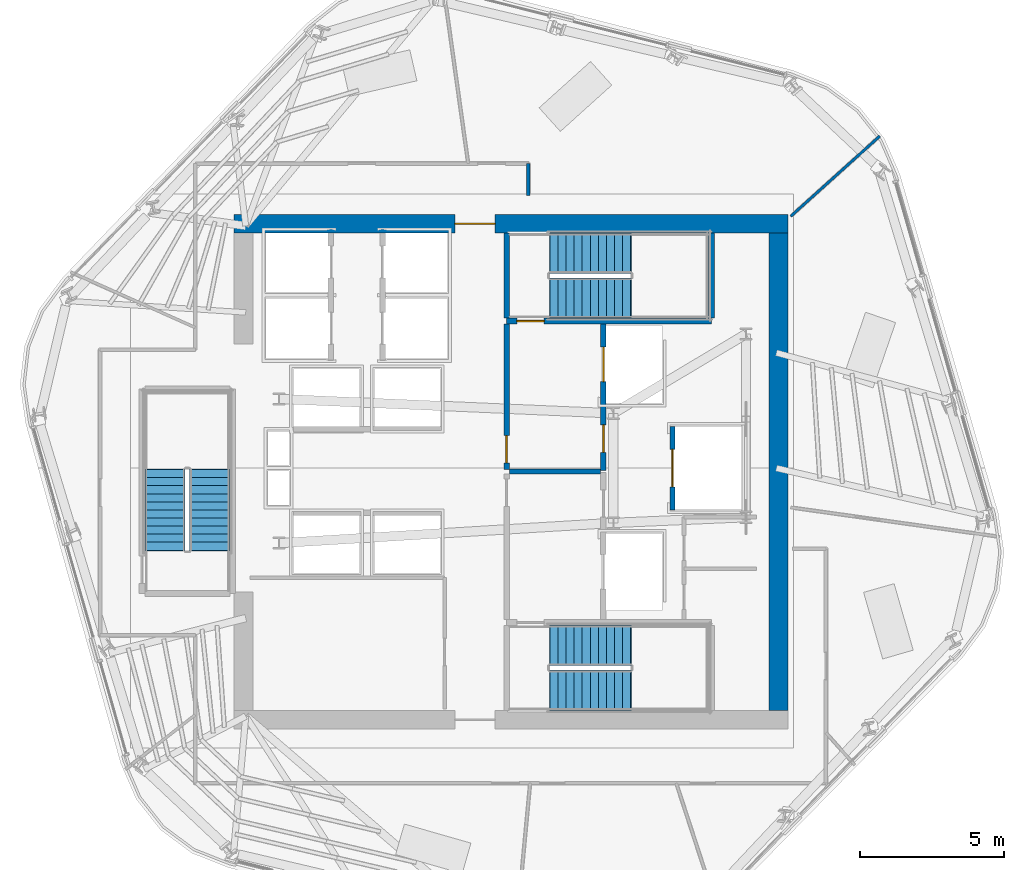
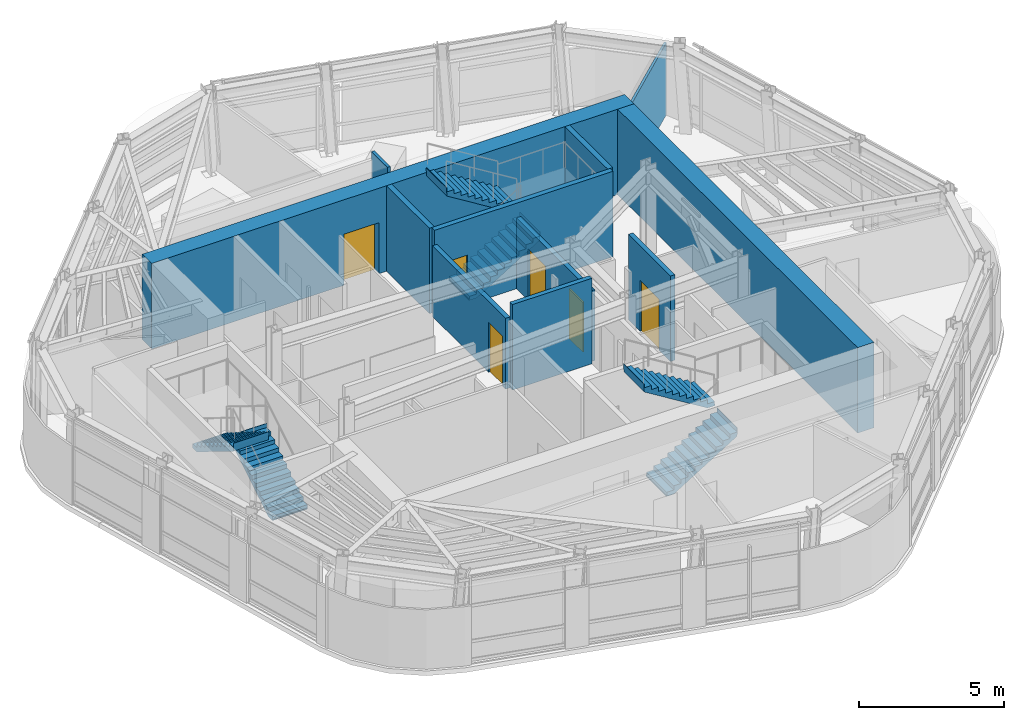
# One storey, part 8 of 13: 11 walls, 6 doors, 6 stair flights, 6 openings, 3 elements without a shape of their own.
"""IFC4 building model written with IfcOpenShell, lengths in metres."""

from ifc_helpers import new_model, si_unit, direction, frame, frame_2d, origin, place, context, subcontext, project, spatial, polyline, rectangle, outline, extrude, material, layer, layer_set, type_object, element, fill, aggregate, save


model = new_model("IFC4")

# Units and contexts
model_context = context("Model", 3, precision=1e-05, world=origin(), true_north=direction((0.0, 1.0)))
body_context = subcontext(model_context, "Body", "Model", "MODEL_VIEW")
ifc_project = project(units=[si_unit("LENGTHUNIT", "METRE"), si_unit("AREAUNIT", "SQUARE_METRE"), si_unit("VOLUMEUNIT", "CUBIC_METRE"), si_unit("PLANEANGLEUNIT", "RADIAN"), si_unit("MASSUNIT", "GRAM", prefix="KILO")], contexts=[model_context])

# Site, building, storey
site_placement = place(None, origin())
site = spatial("IfcSite", under=ifc_project, at=site_placement, CompositionType="ELEMENT")
building_placement = place(site_placement, origin())
building = spatial("IfcBuilding", under=site, at=building_placement, Name="Valkerne Bourse Tower", CompositionType="ELEMENT")
storey_placement = place(building_placement, frame((0.0, 0.0, 220.800048828125)))
storey = spatial("IfcBuildingStorey", under=building, at=storey_placement, Name="L56", CompositionType="ELEMENT", Elevation=220.800048828125)

# Wall, opening, door
ifc_material_1 = material(Name="Concrete C55/67", Category="concrete")
ifc_layer_1 = layer(ifc_material_1, 0.64990234375)
ifc_layer_set_1 = layer_set([ifc_layer_1], Name="Concrete C55/67")
wall_type_1 = type_object("IfcWallType", Name="W-CORE-650", PredefinedType="SHEAR", material=ifc_layer_set_1)
wall_1_placement = place(storey_placement, frame((37.199951171875, 35.47509765625, 0.0), z_axis=(0.0, 0.0, 1.0), x_axis=(1.0, 0.0, 0.0)))
wall_1 = element("IfcWall", 1, at=wall_1_placement, inside=storey, type_object=wall_type_1, Name="L56 Core Shear Wall NORTH", PredefinedType="SHEAR", context=body_context, shape_type="SweptSolid", body=[
    extrude(rectangle(XDim=19.199951171875, YDim=0.64990234375, at=frame_2d((9.60009765625, 0.0))), origin(), (0.0, 0.0, 1.0), 3.599853515625),
])
opening_1_placement = place(wall_1_placement, frame((7.64990234375, 0.0, 0.0)))
opening_1 = element("IfcOpeningElement", 2, at=opening_1_placement, cuts=wall_1, Name="Opening D-PL-1400", PredefinedType="OPENING", context=body_context, shape_type="SweptSolid", body=[
    extrude(rectangle(XDim=1.39990234375, YDim=2.14990234375, at=frame_2d((0.699951171875, 1.074951171875))), frame((0.0, 0.3349609375, 0.0), z_axis=(0.0, -1.0, 0.0), x_axis=(1.0, 0.0, 0.0)), (0.0, 0.0, 1.0), 0.669921875),
])
ifc_material_2 = material(Name="Galvanised Painted Steel", Category="steel")
door_type_1 = type_object("IfcDoorType", Name="DR-PLT-1400", OperationType="DOUBLE_DOOR_SINGLE_SWING", PredefinedType="DOOR", material=ifc_material_2)
door_1_placement = place(opening_1_placement, origin())
door_1 = element("IfcDoor", 3, at=door_1_placement, inside=storey, type_object=door_type_1, Name="L56 North Passenger Lift Hall Fire Door", OperationType="DOUBLE_DOOR_SINGLE_SWING", OverallHeight=2.14990234375, OverallWidth=1.39990234375, PredefinedType="DOOR", context=body_context, shape_type="SweptSolid", body=[
    extrude(rectangle(XDim=1.39990234375, YDim=2.14990234375, at=frame_2d((0.699951171875, 1.074951171875))), frame((0.0, 0.02490234375, 0.0), z_axis=(0.0, -1.0, 0.0), x_axis=(1.0, 0.0, 0.0)), (0.0, 0.0, 1.0), 0.050048828125),
])
fill(opening_1, door_1)

# Walls
wall_2_placement = place(storey_placement, frame((56.074951171875, 18.60009765625, 0.0), z_axis=(0.0, 0.0, 1.0), x_axis=(0.0, 1.0, 0.0)))
element("IfcWall", 4, at=wall_2_placement, inside=storey, type_object=wall_type_1, Name="L56 Core Shear Wall EAST", PredefinedType="SHEAR", context=body_context, shape_type="SweptSolid", body=[
    extrude(rectangle(XDim=16.5498046875, YDim=0.64990234375, at=frame_2d((8.27490234375, 0.0))), origin(), (0.0, 0.0, 1.0), 3.599853515625),
])
ifc_material_3 = material(Name="Gypsum Board Steel-Stud Partition", Category="steel")
ifc_layer_2 = layer(ifc_material_3, 0.117919921875)
ifc_layer_set_2 = layer_set([ifc_layer_2], Name="Gypsum Board Steel-Stud Partition")
wall_type_2 = type_object("IfcWallType", Name="W-CORR-140", PredefinedType="PARTITIONING", material=ifc_layer_set_2)
wall_3_placement = place(storey_placement, frame((47.39990234375, 37.56005859375, 0.0), z_axis=(0.0, 0.0, 1.0), x_axis=(0.0, -1.0, 0.0)))
element("IfcWall", 5, at=wall_3_placement, inside=storey, type_object=wall_type_2, Name="L56 Corridor Enclosure Wall", PredefinedType="PARTITIONING", context=body_context, shape_type="SweptSolid", body=[
    extrude(rectangle(XDim=1.10009765625, YDim=0.117919921875, at=frame_2d((0.550048828125, 0.0))), origin(), (0.0, 0.0, 1.0), 3.300048828125),
])
ifc_material_4 = material(Name="Gypsum Fire-Rated Shaftwall", Category="gypsum")
ifc_layer_3 = layer(ifc_material_4, 0.179931640625)
ifc_layer_set_3 = layer_set([ifc_layer_3], Name="Gypsum Fire-Rated Shaftwall")
wall_type_3 = type_object("IfcWallType", Name="W-FSAE-180", PredefinedType="PARTITIONING", material=ifc_layer_set_3)
wall_4_placement = place(storey_placement, frame((46.739990234375, 26.8798828125, 0.0), z_axis=(0.0, 0.0, 1.0), x_axis=(1.0, 0.0, 0.0)))
element("IfcWall", 6, at=wall_4_placement, inside=storey, type_object=wall_type_3, Name="L56 FSAE-1/2 Lobby Dividing Fire Wall", PredefinedType="PARTITIONING", context=body_context, shape_type="SweptSolid", body=[
    extrude(rectangle(XDim=3.169921875, YDim=0.179931640625, at=frame_2d((1.5849609375, 0.0))), origin(), (0.0, 0.0, 1.0), 3.599853515625),
])

# Wall, opening, door
wall_5_placement = place(storey_placement, frame((46.64990234375, 26.9599609375, 0.0), z_axis=(0.0, 0.0, 1.0), x_axis=(0.0, 1.0, 0.0)))
wall_5 = element("IfcWall", 7, at=wall_5_placement, inside=storey, type_object=wall_type_3, Name="L56 FSAE-2 Lobby West Fire Wall", PredefinedType="PARTITIONING", context=body_context, shape_type="SweptSolid", body=[
    extrude(rectangle(XDim=5.0400390625, YDim=0.179931640625, at=frame_2d((2.52001953125, 0.0))), origin(), (0.0, 0.0, 1.0), 2.97802734375),
])
opening_2_placement = place(wall_5_placement, frame((0.219970703125, 0.0, 0.0)))
opening_2 = element("IfcOpeningElement", 8, at=opening_2_placement, cuts=wall_5, Name="Opening D-FS-950", PredefinedType="OPENING", context=body_context, shape_type="SweptSolid", body=[
    extrude(rectangle(XDim=0.949951171875, YDim=2.10009765625, at=frame_2d((0.47509765625, 1.050048828125))), frame((0.0, 0.099853515625, 0.0), z_axis=(0.0, -1.0, 0.0), x_axis=(1.0, 0.0, 0.0)), (0.0, 0.0, 1.0), 0.199951171875),
])
door_type_2 = type_object("IfcDoorType", Name="DR-FSAE-950", OperationType="NOTDEFINED", PredefinedType="DOOR", material=ifc_material_2)
door_2_placement = place(opening_2_placement, origin())
door_2 = element("IfcDoor", 9, at=door_2_placement, inside=storey, type_object=door_type_2, Name="L56 FSAE-2 Hall Link Fire Door", OperationType="SINGLE_SWING_RIGHT", OverallHeight=2.10009765625, OverallWidth=0.949951171875, PredefinedType="DOOR", context=body_context, shape_type="SweptSolid", body=[
    extrude(rectangle(XDim=0.949951171875, YDim=2.10009765625, at=frame_2d((0.47509765625, 1.050048828125))), frame((0.0, 0.02490234375, 0.0), z_axis=(0.0, -1.0, 0.0), x_axis=(1.0, 0.0, 0.0)), (0.0, 0.0, 1.0), 0.050048828125),
])
fill(opening_2, door_2)

# Wall, openings, doors
wall_6_placement = place(storey_placement, frame((50.0, 26.919921875, 0.0), z_axis=(0.0, 0.0, 1.0), x_axis=(0.0, 1.0, 0.0)))
wall_6 = element("IfcWall", 10, at=wall_6_placement, inside=storey, type_object=wall_type_3, Name="L56 FSAE-2 Lobby & Shaft Front Wall", PredefinedType="PARTITIONING", context=body_context, shape_type="SweptSolid", body=[
    extrude(rectangle(XDim=5.080078125, YDim=0.179931640625, at=frame_2d((2.5400390625, 0.0))), origin(), (0.0, 0.0, 1.0), 2.97802734375),
])
opening_3_placement = place(wall_6_placement, frame((3.080078125, 0.0, 0.0)))
opening_3 = element("IfcOpeningElement", 11, at=opening_3_placement, cuts=wall_6, Name="Opening LD-1200", PredefinedType="OPENING", context=body_context, shape_type="SweptSolid", body=[
    extrude(rectangle(XDim=1.199951171875, YDim=2.14990234375, at=frame_2d((0.60009765625, 1.074951171875))), frame((0.0, 0.099853515625, 0.0), z_axis=(0.0, -1.0, 0.0), x_axis=(1.0, 0.0, 0.0)), (0.0, 0.0, 1.0), 0.199951171875),
])
opening_4_placement = place(wall_6_placement, frame((0.6298828125, 0.0, 0.0)))
opening_4 = element("IfcOpeningElement", 12, at=opening_4_placement, cuts=wall_6, Name="Opening D-FS-950", PredefinedType="OPENING", context=body_context, shape_type="SweptSolid", body=[
    extrude(rectangle(XDim=0.949951171875, YDim=2.10009765625, at=frame_2d((0.47509765625, 1.050048828125))), frame((0.0, 0.099853515625, 0.0), z_axis=(0.0, -1.0, 0.0), x_axis=(1.0, 0.0, 0.0)), (0.0, 0.0, 1.0), 0.199951171875),
])
door_3_placement = place(opening_4_placement, origin())
door_3 = element("IfcDoor", 13, at=door_3_placement, inside=storey, type_object=door_type_2, Name="L56 FSAE-2 Lobby Corridor Fire Door", OperationType="SINGLE_SWING_RIGHT", OverallHeight=2.10009765625, OverallWidth=0.949951171875, PredefinedType="DOOR", context=body_context, shape_type="SweptSolid", body=[
    extrude(rectangle(XDim=0.949951171875, YDim=2.10009765625, at=frame_2d((0.47509765625, 1.050048828125))), frame((0.0, 0.02490234375, 0.0), z_axis=(0.0, -1.0, 0.0), x_axis=(1.0, 0.0, 0.0)), (0.0, 0.0, 1.0), 0.050048828125),
])
fill(opening_4, door_3)
ifc_material_5 = material(Name="Stainless Steel AISI 316", Category="steel")
door_type_3 = type_object("IfcDoorType", Name="DR-LIFT-1200", OperationType="DOUBLE_DOOR_SLIDING", PredefinedType="DOOR", material=ifc_material_5)
door_4_placement = place(opening_3_placement, origin())
door_4 = element("IfcDoor", 14, at=door_4_placement, inside=storey, type_object=door_type_3, Name="L56 FSAE-2 Firefighting Lift Landing Door", OperationType="DOUBLE_DOOR_SLIDING", OverallHeight=2.14990234375, OverallWidth=1.199951171875, PredefinedType="DOOR", context=body_context, shape_type="SweptSolid", body=[
    extrude(rectangle(XDim=1.199951171875, YDim=2.14990234375, at=frame_2d((0.60009765625, 1.074951171875))), frame((0.0, 0.02490234375, 0.0), z_axis=(0.0, -1.0, 0.0), x_axis=(1.0, 0.0, 0.0)), (0.0, 0.0, 1.0), 0.050048828125),
])
fill(opening_3, door_4)

# Wall, opening, door
ifc_material_6 = material(Name="CMU Blockwork Masonry 200mm", Category="masonry")
ifc_layer_4 = layer(ifc_material_6, 0.179931640625)
ifc_layer_set_4 = layer_set([ifc_layer_4], Name="CMU Blockwork Masonry 200mm")
wall_type_4 = type_object("IfcWallType", Name="W-LFT-180", PredefinedType="SOLIDWALL", material=ifc_layer_set_4)
wall_7_placement = place(storey_placement, frame((52.39990234375, 25.550048828125, 0.0), z_axis=(0.0, 0.0, 1.0), x_axis=(0.0, 1.0, 0.0)))
wall_7 = element("IfcWall", 15, at=wall_7_placement, inside=storey, type_object=wall_type_4, Name="L56 Service Lift SV-1 Front Wall", PredefinedType="SOLIDWALL", context=body_context, shape_type="SweptSolid", body=[
    extrude(rectangle(XDim=2.89990234375, YDim=0.179931640625, at=frame_2d((1.449951171875, 0.0))), origin(), (0.0, 0.0, 1.0), 3.599853515625),
])
opening_5_placement = place(wall_7_placement, frame((0.800048828125, 0.0, 0.0)))
opening_5 = element("IfcOpeningElement", 16, at=opening_5_placement, cuts=wall_7, Name="Opening LD-1300", PredefinedType="OPENING", context=body_context, shape_type="SweptSolid", body=[
    extrude(rectangle(XDim=1.300048828125, YDim=2.14990234375, at=frame_2d((0.64990234375, 1.074951171875))), frame((0.0, 0.099853515625, 0.0), z_axis=(0.0, -1.0, 0.0), x_axis=(1.0, 0.0, 0.0)), (0.0, 0.0, 1.0), 0.199951171875),
])
door_type_4 = type_object("IfcDoorType", Name="DR-LIFT-1300", OperationType="DOUBLE_DOOR_SLIDING", PredefinedType="DOOR", material=ifc_material_5)
door_5_placement = place(opening_5_placement, origin())
door_5 = element("IfcDoor", 17, at=door_5_placement, inside=storey, type_object=door_type_4, Name="L56 Service Lift SV-1 Landing Door", OperationType="DOUBLE_DOOR_SLIDING", OverallHeight=2.14990234375, OverallWidth=1.300048828125, PredefinedType="DOOR", context=body_context, shape_type="SweptSolid", body=[
    extrude(rectangle(XDim=1.300048828125, YDim=2.14990234375, at=frame_2d((0.64990234375, 1.074951171875))), frame((0.0, 0.02490234375, 0.0), z_axis=(0.0, -1.0, 0.0), x_axis=(1.0, 0.0, 0.0)), (0.0, 0.0, 1.0), 0.050048828125),
])
fill(opening_5, door_5)

# Wall
ifc_layer_5 = layer(ifc_material_3, 0.092041015625)
ifc_layer_set_5 = layer_set([ifc_layer_5], Name="Gypsum Board Steel-Stud Partition")
wall_type_5 = type_object("IfcWallType", Name="W-PART-115", PredefinedType="PARTITIONING", material=ifc_layer_set_5)
wall_8_placement = place(storey_placement, frame((56.5, 35.73388671875, 0.0), z_axis=(0.0, 0.0, 1.0), x_axis=(0.743156912468, 0.669117182151, 0.0)))
element("IfcWall", 18, at=wall_8_placement, inside=storey, type_object=wall_type_5, Name="L56 Suite Partition P05", PredefinedType="PARTITIONING", context=body_context, shape_type="SweptSolid", body=[
    extrude(rectangle(XDim=4.157958984375, YDim=0.092041015625, at=frame_2d((2.0791015625, 0.0))), origin(), (0.0, 0.0, 1.0), 3.036376953125),
])

# Wall, opening, door
ifc_material_7 = material(Name="Concrete C40/50", Category="concrete")
ifc_layer_6 = layer(ifc_material_7, 0.199951171875)
ifc_layer_set_6 = layer_set([ifc_layer_6], Name="Concrete C40/50")
wall_type_6 = type_object("IfcWallType", Name="W-SHF-200", PredefinedType="SHEAR", material=ifc_layer_set_6)
wall_9_placement = place(storey_placement, frame((46.64990234375, 32.10009765625, 0.0), z_axis=(0.0, 0.0, 1.0), x_axis=(1.0, 0.0, 0.0)))
wall_9 = element("IfcWall", 19, at=wall_9_placement, inside=storey, type_object=wall_type_6, Name="L56 Exit Stair ST-2 Structural Shaft Wall South", PredefinedType="SHEAR", context=body_context, shape_type="SweptSolid", body=[
    extrude(rectangle(XDim=7.10009765625, YDim=0.199951171875, at=frame_2d((3.550048828125, 0.0))), origin(), (0.0, 0.0, 1.0), 3.599853515625),
])
opening_6_placement = place(wall_9_placement, frame((0.35009765625, 0.0, 0.0)))
opening_6 = element("IfcOpeningElement", 20, at=opening_6_placement, cuts=wall_9, Name="Opening D-ST-950", PredefinedType="OPENING", context=body_context, shape_type="SweptSolid", body=[
    extrude(rectangle(XDim=0.949951171875, YDim=2.10009765625, at=frame_2d((0.47509765625, 1.050048828125))), frame((0.0, 0.10986328125, 0.0), z_axis=(0.0, -1.0, 0.0), x_axis=(1.0, 0.0, 0.0)), (0.0, 0.0, 1.0), 0.219970703125),
])
door_type_5 = type_object("IfcDoorType", Name="DR-STAIR-950", OperationType="NOTDEFINED", PredefinedType="DOOR", material=ifc_material_2)
door_6_placement = place(opening_6_placement, origin())
door_6 = element("IfcDoor", 21, at=door_6_placement, inside=storey, type_object=door_type_5, Name="L56 Exit Stair ST-2 Door", OperationType="SINGLE_SWING_RIGHT", OverallHeight=2.10009765625, OverallWidth=0.949951171875, PredefinedType="DOOR", context=body_context, shape_type="SweptSolid", body=[
    extrude(rectangle(XDim=0.949951171875, YDim=2.10009765625, at=frame_2d((0.47509765625, 1.050048828125))), frame((0.0, 0.02490234375, 0.0), z_axis=(0.0, -1.0, 0.0), x_axis=(1.0, 0.0, 0.0)), (0.0, 0.0, 1.0), 0.050048828125),
])
fill(opening_6, door_6)

# Walls
for number, where, z_axis, x_axis, name in (
    (22, (46.64990234375, 32.199951171875, 0.0), (0.0, 0.0, 1.0), (0.0, 1.0, 0.0), "L56 Exit Stair ST-2 Structural Shaft Wall West"),
    (23, (53.75, 32.199951171875, 0.0), (0.0, 0.0, 1.0), (0.0, 1.0, 0.0), "L56 Exit Stair ST-2 Structural Shaft Wall East"),
):
    element("IfcWall", number, at=place(storey_placement, frame(where, z_axis=z_axis, x_axis=x_axis)), inside=storey, type_object=wall_type_6, Name=name, PredefinedType="SHEAR", context=body_context, shape_type="SweptSolid", body=[
        extrude(rectangle(XDim=2.949951171875, YDim=0.199951171875, at=frame_2d((1.47509765625, 0.0))), origin(), (0.0, 0.0, 1.0), 3.599853515625),
    ])

# Stair, stair flights
stair_type = type_object("IfcStairType", Name="ST-CORE-1400", PredefinedType="HALF_TURN_STAIR", material=ifc_material_7)
stair_1_placement = place(storey_placement, origin())
stair_1 = element("IfcStair", 24, at=stair_1_placement, inside=storey, type_object=stair_type, Name="L56 ST-1", PredefinedType="HALF_TURN_STAIR")
stair_flight_type = type_object("IfcStairFlightType", Name="STF-CORE-1400", PredefinedType="STRAIGHT", material=ifc_material_7)
stair_flight_1_placement = place(storey_placement, frame((48.14990234375, 19.300048828125, 0.0), z_axis=(0.0, 0.0, 1.0), x_axis=(1.0, 0.0, 0.0)))
stair_flight_1 = element("IfcStairFlight", 25, at=stair_flight_1_placement, type_object=stair_flight_type, Name="ST-1 flight 1", NumberOfRisers=11, NumberOfTreads=10, PredefinedType="STRAIGHT", RiserHeight=0.172727273, TreadLength=0.28, context=body_context, shape_type="SweptSolid", body=[
    extrude(outline(polyline([(-0.02001953125, 0.0), (-0.02001953125, 0.044921875), (0.0, 0.044921875), (0.0, 0.172607421875), (0.280029296875, 0.172607421875), (0.280029296875, 0.345458984375), (0.56005859375, 0.345458984375), (0.56005859375, 0.51806640625), (0.840087890625, 0.51806640625), (0.840087890625, 0.69091796875), (1.1201171875, 0.69091796875), (1.1201171875, 0.863525390625), (1.39990234375, 0.863525390625), (1.39990234375, 1.036376953125), (1.679931640625, 1.036376953125), (1.679931640625, 1.208984375), (1.9599609375, 1.208984375), (1.9599609375, 1.3818359375), (2.239990234375, 1.3818359375), (2.239990234375, 1.554443359375), (2.52001953125, 1.554443359375), (2.52001953125, 1.727294921875), (2.800048828125, 1.727294921875), (2.800048828125, 1.89990234375), (2.820068359375, 1.89990234375), (2.820068359375, 1.780029296875), (2.800048828125, 1.551025390625), (0.285400390625, 0.0), (-0.02001953125, 0.0)])), frame((0.0, 0.699951171875, 0.0), z_axis=(0.0, -1.0, 0.0), x_axis=(1.0, 0.0, 0.0)), (0.0, 0.0, 1.0), 1.39990234375),
])
stair_flight_2_placement = place(storey_placement, frame((50.949951171875, 20.85009765625, 1.89990234375), z_axis=(0.0, 0.0, 1.0), x_axis=(-1.0, 0.0, 0.0)))
stair_flight_2 = element("IfcStairFlight", 26, at=stair_flight_2_placement, type_object=stair_flight_type, Name="ST-1 flight 2", NumberOfRisers=11, NumberOfTreads=10, PredefinedType="STRAIGHT", RiserHeight=0.172727273, TreadLength=0.28, context=body_context, shape_type="SweptSolid", body=[
    extrude(outline(polyline([(-0.02001953125, 0.0), (-0.02001953125, 0.044921875), (0.0, 0.044921875), (0.0, 0.172607421875), (0.280029296875, 0.172607421875), (0.280029296875, 0.345458984375), (0.56005859375, 0.345458984375), (0.56005859375, 0.51806640625), (0.840087890625, 0.51806640625), (0.840087890625, 0.69091796875), (1.1201171875, 0.69091796875), (1.1201171875, 0.863525390625), (1.39990234375, 0.863525390625), (1.39990234375, 1.036376953125), (1.679931640625, 1.036376953125), (1.679931640625, 1.208984375), (1.9599609375, 1.208984375), (1.9599609375, 1.3818359375), (2.239990234375, 1.3818359375), (2.239990234375, 1.554443359375), (2.52001953125, 1.554443359375), (2.52001953125, 1.727294921875), (2.800048828125, 1.727294921875), (2.800048828125, 1.89990234375), (2.820068359375, 1.89990234375), (2.820068359375, 1.780029296875), (2.800048828125, 1.551025390625), (0.285400390625, 0.0), (-0.02001953125, 0.0)])), frame((0.0, 0.699951171875, 0.0), z_axis=(0.0, -1.0, 0.0), x_axis=(1.0, 0.0, 0.0)), (0.0, 0.0, 1.0), 1.39990234375),
])
aggregate(stair_1, [stair_flight_1, stair_flight_2])

stair_2_placement = place(storey_placement, origin())
stair_2 = element("IfcStair", 27, at=stair_2_placement, inside=storey, type_object=stair_type, Name="L56 ST-2", PredefinedType="HALF_TURN_STAIR")
stair_flight_3_placement = place(storey_placement, frame((48.14990234375, 32.89990234375, 0.0), z_axis=(0.0, 0.0, 1.0), x_axis=(1.0, 0.0, 0.0)))
stair_flight_3 = element("IfcStairFlight", 28, at=stair_flight_3_placement, type_object=stair_flight_type, Name="ST-2 flight 1", NumberOfRisers=11, NumberOfTreads=10, PredefinedType="STRAIGHT", RiserHeight=0.172727273, TreadLength=0.28, context=body_context, shape_type="SweptSolid", body=[
    extrude(outline(polyline([(-0.02001953125, 0.0), (-0.02001953125, 0.044921875), (0.0, 0.044921875), (0.0, 0.172607421875), (0.280029296875, 0.172607421875), (0.280029296875, 0.345458984375), (0.56005859375, 0.345458984375), (0.56005859375, 0.51806640625), (0.840087890625, 0.51806640625), (0.840087890625, 0.69091796875), (1.1201171875, 0.69091796875), (1.1201171875, 0.863525390625), (1.39990234375, 0.863525390625), (1.39990234375, 1.036376953125), (1.679931640625, 1.036376953125), (1.679931640625, 1.208984375), (1.9599609375, 1.208984375), (1.9599609375, 1.3818359375), (2.239990234375, 1.3818359375), (2.239990234375, 1.554443359375), (2.52001953125, 1.554443359375), (2.52001953125, 1.727294921875), (2.800048828125, 1.727294921875), (2.800048828125, 1.89990234375), (2.820068359375, 1.89990234375), (2.820068359375, 1.780029296875), (2.800048828125, 1.551025390625), (0.285400390625, 0.0), (-0.02001953125, 0.0)])), frame((0.0, 0.699951171875, 0.0), z_axis=(0.0, -1.0, 0.0), x_axis=(1.0, 0.0, 0.0)), (0.0, 0.0, 1.0), 1.39990234375),
])
stair_flight_4_placement = place(storey_placement, frame((50.949951171875, 34.449951171875, 1.89990234375), z_axis=(0.0, 0.0, 1.0), x_axis=(-1.0, 0.0, 0.0)))
stair_flight_4 = element("IfcStairFlight", 29, at=stair_flight_4_placement, type_object=stair_flight_type, Name="ST-2 flight 2", NumberOfRisers=11, NumberOfTreads=10, PredefinedType="STRAIGHT", RiserHeight=0.172727273, TreadLength=0.28, context=body_context, shape_type="SweptSolid", body=[
    extrude(outline(polyline([(-0.02001953125, 0.0), (-0.02001953125, 0.044921875), (0.0, 0.044921875), (0.0, 0.172607421875), (0.280029296875, 0.172607421875), (0.280029296875, 0.345458984375), (0.56005859375, 0.345458984375), (0.56005859375, 0.51806640625), (0.840087890625, 0.51806640625), (0.840087890625, 0.69091796875), (1.1201171875, 0.69091796875), (1.1201171875, 0.863525390625), (1.39990234375, 0.863525390625), (1.39990234375, 1.036376953125), (1.679931640625, 1.036376953125), (1.679931640625, 1.208984375), (1.9599609375, 1.208984375), (1.9599609375, 1.3818359375), (2.239990234375, 1.3818359375), (2.239990234375, 1.554443359375), (2.52001953125, 1.554443359375), (2.52001953125, 1.727294921875), (2.800048828125, 1.727294921875), (2.800048828125, 1.89990234375), (2.820068359375, 1.89990234375), (2.820068359375, 1.780029296875), (2.800048828125, 1.551025390625), (0.285400390625, 0.0), (-0.02001953125, 0.0)])), frame((0.0, 0.699951171875, 0.0), z_axis=(0.0, -1.0, 0.0), x_axis=(1.0, 0.0, 0.0)), (0.0, 0.0, 1.0), 1.39990234375),
])
aggregate(stair_2, [stair_flight_3, stair_flight_4])

stair_3_placement = place(storey_placement, origin())
stair_3 = element("IfcStair", 30, at=stair_3_placement, inside=storey, type_object=stair_type, Name="L56 ST-3", PredefinedType="HALF_TURN_STAIR")
stair_flight_5_placement = place(storey_placement, frame((36.35009765625, 24.14990234375, 0.0), z_axis=(0.0, 0.0, 1.0), x_axis=(0.0, 1.0, 0.0)))
stair_flight_5 = element("IfcStairFlight", 31, at=stair_flight_5_placement, type_object=stair_flight_type, Name="ST-3 flight 1", NumberOfRisers=11, NumberOfTreads=10, PredefinedType="STRAIGHT", RiserHeight=0.172727273, TreadLength=0.28, context=body_context, shape_type="SweptSolid", body=[
    extrude(outline(polyline([(-0.02001953125, 0.0), (-0.02001953125, 0.044921875), (0.0, 0.044921875), (0.0, 0.172607421875), (0.280029296875, 0.172607421875), (0.280029296875, 0.345458984375), (0.56005859375, 0.345458984375), (0.56005859375, 0.51806640625), (0.840087890625, 0.51806640625), (0.840087890625, 0.69091796875), (1.1201171875, 0.69091796875), (1.1201171875, 0.863525390625), (1.39990234375, 0.863525390625), (1.39990234375, 1.036376953125), (1.679931640625, 1.036376953125), (1.679931640625, 1.208984375), (1.9599609375, 1.208984375), (1.9599609375, 1.3818359375), (2.239990234375, 1.3818359375), (2.239990234375, 1.554443359375), (2.52001953125, 1.554443359375), (2.52001953125, 1.727294921875), (2.800048828125, 1.727294921875), (2.800048828125, 1.89990234375), (2.820068359375, 1.89990234375), (2.820068359375, 1.780029296875), (2.800048828125, 1.551025390625), (0.285400390625, 0.0), (-0.02001953125, 0.0)])), frame((0.0, 0.699951171875, 0.0), z_axis=(0.0, -1.0, 0.0), x_axis=(1.0, 0.0, 0.0)), (0.0, 0.0, 1.0), 1.39990234375),
])
stair_flight_6_placement = place(storey_placement, frame((34.800048828125, 26.949951171875, 1.89990234375), z_axis=(0.0, 0.0, 1.0), x_axis=(0.0, -1.0, 0.0)))
stair_flight_6 = element("IfcStairFlight", 32, at=stair_flight_6_placement, type_object=stair_flight_type, Name="ST-3 flight 2", NumberOfRisers=11, NumberOfTreads=10, PredefinedType="STRAIGHT", RiserHeight=0.172727273, TreadLength=0.28, context=body_context, shape_type="SweptSolid", body=[
    extrude(outline(polyline([(-0.02001953125, 0.0), (-0.02001953125, 0.044921875), (0.0, 0.044921875), (0.0, 0.172607421875), (0.280029296875, 0.172607421875), (0.280029296875, 0.345458984375), (0.56005859375, 0.345458984375), (0.56005859375, 0.51806640625), (0.840087890625, 0.51806640625), (0.840087890625, 0.69091796875), (1.1201171875, 0.69091796875), (1.1201171875, 0.863525390625), (1.39990234375, 0.863525390625), (1.39990234375, 1.036376953125), (1.679931640625, 1.036376953125), (1.679931640625, 1.208984375), (1.9599609375, 1.208984375), (1.9599609375, 1.3818359375), (2.239990234375, 1.3818359375), (2.239990234375, 1.554443359375), (2.52001953125, 1.554443359375), (2.52001953125, 1.727294921875), (2.800048828125, 1.727294921875), (2.800048828125, 1.89990234375), (2.820068359375, 1.89990234375), (2.820068359375, 1.780029296875), (2.800048828125, 1.551025390625), (0.285400390625, 0.0), (-0.02001953125, 0.0)])), frame((0.0, 0.699951171875, 0.0), z_axis=(0.0, -1.0, 0.0), x_axis=(1.0, 0.0, 0.0)), (0.0, 0.0, 1.0), 1.39990234375),
])
aggregate(stair_3, [stair_flight_5, stair_flight_6])

save(model, "model.ifc")
